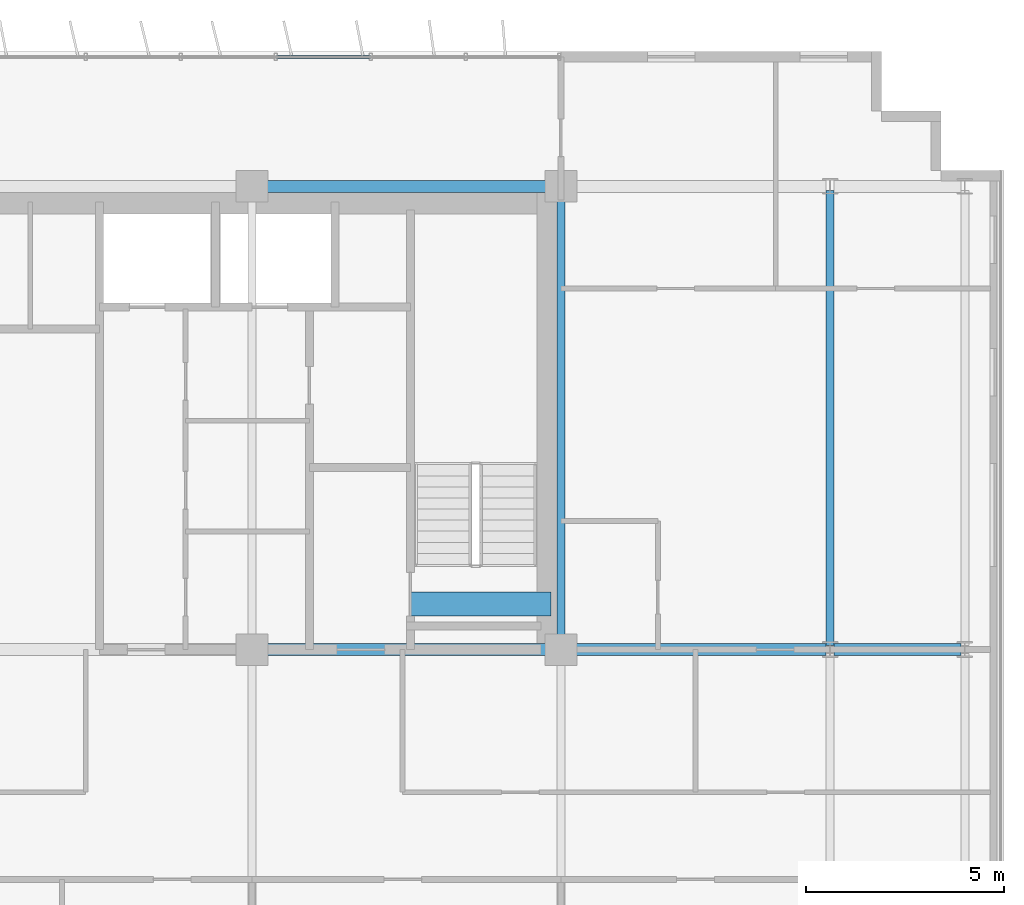
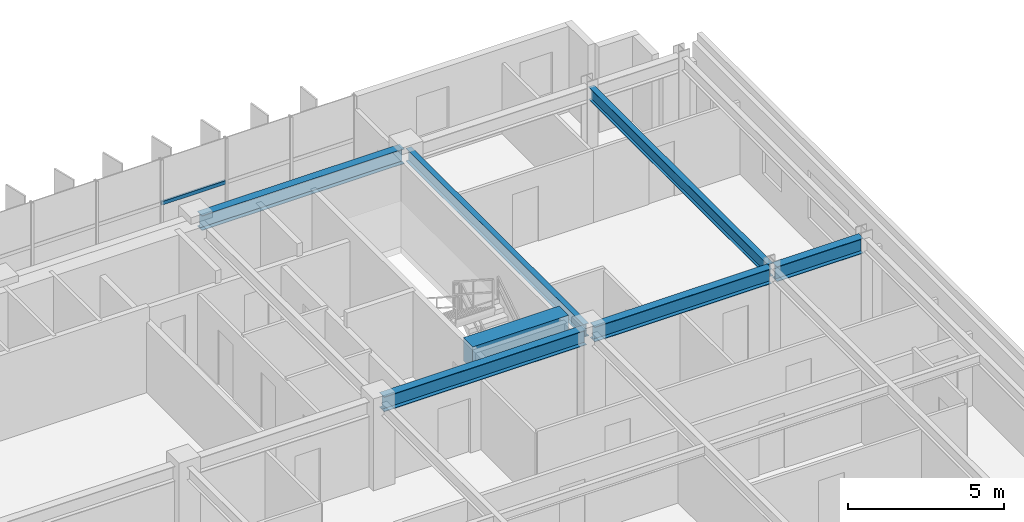
# One storey, part 14 of 26: 7 beams, 1 member, 1 element without a shape of its own.
"""IFC4 building model written with IfcOpenShell, lengths in metres."""

from ifc_helpers import new_model, si_unit, direction, frame, origin, origin_2d, place, context, subcontext, project, spatial, rectangle, hollow_rectangle, i_section, extrude, source, transform, mapped, material, material_profile, profile_set, type_object, element, aggregate, save


model = new_model("IFC4")

# Units and contexts
model_context = context("Model", 3, precision=1e-05, world=origin(), true_north=direction((0.0, 1.0)))
body_context = subcontext(model_context, "Body", "Model", "MODEL_VIEW")
ifc_project = project(units=[si_unit("LENGTHUNIT", "METRE"), si_unit("AREAUNIT", "SQUARE_METRE"), si_unit("VOLUMEUNIT", "CUBIC_METRE"), si_unit("PLANEANGLEUNIT", "RADIAN"), si_unit("MASSUNIT", "GRAM", prefix="KILO")], contexts=[model_context])

# Site, building, storey
site_placement = place(None, origin())
site = spatial("IfcSite", under=ifc_project, at=site_placement, CompositionType="ELEMENT")
building_placement = place(site_placement, origin())
building = spatial("IfcBuilding", under=site, at=building_placement, Name="Trelvane Seafront Commons", CompositionType="ELEMENT")
storey_placement = place(building_placement, frame((0.0, 0.0, 124.89990234375)))
storey = spatial("IfcBuildingStorey", under=building, at=storey_placement, Name="L32", CompositionType="ELEMENT", Elevation=124.89990234375)

# Beams
ifc_material_1 = material(Name="Concrete C60/75", Category="concrete")
ifc_material_profile_1 = material_profile(ifc_material_1, rectangle(XDim=0.60009765625, YDim=0.89990234375, at=origin_2d()), Name="RC-600x900")
ifc_profile_set_1 = profile_set([ifc_material_profile_1], Name="Concrete C60/75")
beam_type_1 = type_object("IfcBeamType", Name="STR-LNT-RC600x900", PredefinedType="LINTEL", material=ifc_profile_set_1)
shared_shape_1 = source(origin(), body_context, "Body", "SweptSolid", [
    extrude(rectangle(XDim=0.60009765625, YDim=0.89990234375, at=origin_2d()), origin(), (0.0, 0.0, 1.0), 3.550048828125),
])
beam_1_placement = place(storey_placement, frame((55.0, 34.550048828125, 2.89013671875), z_axis=(1.0, 0.0, 0.0), x_axis=(0.0, 1.0, 0.0)))
element("IfcBeam", 1, at=beam_1_placement, inside=storey, type_object=beam_type_1, Name="L32 Core Coupling Lintel Beam CB-84", PredefinedType="LINTEL", context=body_context, shape_type="MappedRepresentation", body=[
    mapped(shared_shape_1, transform((0.0, 0.0, 0.0), x_axis=(1.0, 0.0, 0.0), y_axis=(0.0, 1.0, 0.0), z_axis=(0.0, 0.0, 1.0), scale=1.0)),
])
ifc_material_2 = material(Name="Steel SM355 (S355)", Category="steel")
ifc_material_profile_2 = material_profile(ifc_material_2, i_section(OverallWidth=0.300048828125, OverallDepth=0.587890625, WebThickness=0.011962890625, FlangeThickness=0.02001953125, at=origin_2d()), Name="H-588x300x12x20")
ifc_profile_set_2 = profile_set([ifc_material_profile_2], Name="Steel SM355 (S355)")
beam_type_2 = type_object("IfcBeamType", Name="STR-BM-H588", PredefinedType="BEAM", material=ifc_profile_set_2)
shared_shape_2 = source(origin(), body_context, "Body", "SweptSolid", [
    extrude(i_section(OverallWidth=0.300048828125, OverallDepth=0.587890625, WebThickness=0.011962890625, FlangeThickness=0.02001953125, at=origin_2d()), origin(), (0.0, 0.0, 1.0), 3.199951171875),
])
beam_2_placement = place(storey_placement, frame((65.699951171875, 33.39990234375, 3.046142578125), z_axis=(1.0, 0.0, 0.0), x_axis=(0.0, 1.0, 0.0)))
element("IfcBeam", 2, at=beam_2_placement, inside=storey, type_object=beam_type_2, Name="L32 Primary Girder G-27", PredefinedType="BEAM", context=body_context, shape_type="MappedRepresentation", body=[
    mapped(shared_shape_2, transform((0.0, 0.0, 0.0), x_axis=(1.0, 0.0, 0.0), y_axis=(0.0, 1.0, 0.0), z_axis=(0.0, 0.0, 1.0), scale=1.0)),
])
shared_shape_3 = source(origin(), body_context, "Body", "SweptSolid", [
    extrude(i_section(OverallWidth=0.300048828125, OverallDepth=0.587890625, WebThickness=0.011962890625, FlangeThickness=0.02001953125, at=origin_2d()), origin(), (0.0, 0.0, 1.0), 6.550048828125),
])
beam_3_placement = place(storey_placement, frame((58.949951171875, 33.39990234375, 3.046142578125), z_axis=(1.0, 0.0, 0.0), x_axis=(0.0, 1.0, 0.0)))
element("IfcBeam", 3, at=beam_3_placement, inside=storey, type_object=beam_type_2, Name="L32 Primary Girder G-26", PredefinedType="BEAM", context=body_context, shape_type="MappedRepresentation", body=[
    mapped(shared_shape_3, transform((0.0, 0.0, 0.0), x_axis=(1.0, 0.0, 0.0), y_axis=(0.0, 1.0, 0.0), z_axis=(0.0, 0.0, 1.0), scale=1.0)),
])
shared_shape_4 = source(origin(), body_context, "Body", "SweptSolid", [
    extrude(i_section(OverallWidth=0.300048828125, OverallDepth=0.587890625, WebThickness=0.011962890625, FlangeThickness=0.02001953125, at=origin_2d()), origin(), (0.0, 0.0, 1.0), 7.5),
])
for number, where, z_axis, x_axis, name in (
    (4, (51.14990234375, 33.39990234375, 3.046142578125), (1.0, 0.0, 0.0), (0.0, 1.0, 0.0), "L32 Primary Girder G-25"),
    (5, (51.14990234375, 45.10009765625, 3.046142578125), (1.0, 0.0, 0.0), (0.0, 1.0, 0.0), "L32 Primary Girder G-34"),
):
    element("IfcBeam", number, at=place(storey_placement, frame(where, z_axis=z_axis, x_axis=x_axis)), inside=storey, type_object=beam_type_2, Name=name, PredefinedType="BEAM", context=body_context, shape_type="MappedRepresentation", body=[
        mapped(shared_shape_4, transform((0.0, 0.0, 0.0), x_axis=(1.0, 0.0, 0.0), y_axis=(0.0, 1.0, 0.0), z_axis=(0.0, 0.0, 1.0), scale=1.0)),
    ])
ifc_material_profile_3 = material_profile(ifc_material_2, i_section(OverallWidth=0.199951171875, OverallDepth=0.5, WebThickness=0.010009765625, FlangeThickness=0.01611328125, at=origin_2d()), Name="H-500x200x10x16")
ifc_profile_set_3 = profile_set([ifc_material_profile_3], Name="Steel SM355 (S355)")
beam_type_3 = type_object("IfcBeamType", Name="STR-BM-H500", PredefinedType="BEAM", material=ifc_profile_set_3)
shared_shape_5 = source(origin(), body_context, "Body", "SweptSolid", [
    extrude(i_section(OverallWidth=0.199951171875, OverallDepth=0.5, WebThickness=0.010009765625, FlangeThickness=0.01611328125, at=origin_2d()), origin(), (0.0, 0.0, 1.0), 11.5),
])
beam_4_placement = place(storey_placement, frame((65.60009765625, 33.5, 3.090087890625), z_axis=(0.0, 1.0, 0.0), x_axis=(-1.0, 0.0, 0.0)))
element("IfcBeam", 6, at=beam_4_placement, inside=storey, type_object=beam_type_3, Name="L32 Primary Girder G-63", PredefinedType="BEAM", context=body_context, shape_type="MappedRepresentation", body=[
    mapped(shared_shape_5, transform((0.0, 0.0, 0.0), x_axis=(1.0, 0.0, 0.0), y_axis=(0.0, 1.0, 0.0), z_axis=(0.0, 0.0, 1.0), scale=1.0)),
])
shared_shape_6 = source(origin(), body_context, "Body", "SweptSolid", [
    extrude(i_section(OverallWidth=0.199951171875, OverallDepth=0.5, WebThickness=0.010009765625, FlangeThickness=0.01611328125, at=origin_2d()), origin(), (0.0, 0.0, 1.0), 11.39990234375),
])
beam_5_placement = place(storey_placement, frame((58.800048828125, 33.550048828125, 3.090087890625), z_axis=(0.0, 1.0, 0.0), x_axis=(-1.0, 0.0, 0.0)))
element("IfcBeam", 7, at=beam_5_placement, inside=storey, type_object=beam_type_3, Name="L32 Primary Girder G-60", PredefinedType="BEAM", context=body_context, shape_type="MappedRepresentation", body=[
    mapped(shared_shape_6, transform((0.0, 0.0, 0.0), x_axis=(1.0, 0.0, 0.0), y_axis=(0.0, 1.0, 0.0), z_axis=(0.0, 0.0, 1.0), scale=1.0)),
])

# Curtain wall, member
ifc_material_3 = material(Name="Anodised pale-silver aluminium", Category="aluminium")
curtain_wall_type = type_object("IfcCurtainWallType", Name="ARCH-CW4-SKYLOBBY", PredefinedType="NOTDEFINED", material=ifc_material_3)
curtain_wall_placement = place(storey_placement, origin())
curtain_wall = element("IfcCurtainWall", 8, at=curtain_wall_placement, inside=storey, type_object=curtain_wall_type, Name="CW-L32-0057", PredefinedType="NOTDEFINED")
ifc_material_profile_4 = material_profile(ifc_material_3, hollow_rectangle(XDim=0.074951171875, YDim=0.139892578125, WallThickness=0.00390625, at=origin_2d()), Name="TRAN-75x140x4")
ifc_profile_set_4 = profile_set([ifc_material_profile_4], Name="Anodised pale-silver aluminium")
member_type = type_object("IfcMemberType", Name="ARCH-CW-TRAN-140", PredefinedType="USERDEFINED", material=ifc_profile_set_4)
shared_shape_7 = source(origin(), body_context, "Body", "SweptSolid", [
    extrude(hollow_rectangle(XDim=0.074951171875, YDim=0.139892578125, WallThickness=0.00390625, at=origin_2d()), origin(), (0.0, 0.0, 1.0), 2.3759765625),
])
member_placement = place(storey_placement, frame((51.612060546875, 48.3701171875, 1.60302734375), z_axis=(1.0, 0.0, 0.0), x_axis=(0.0, 1.0, 0.0)))
member = element("IfcMember", 9, at=member_placement, type_object=member_type, Name="CW-L32-0057-T15", ObjectType="TRANSOM", PredefinedType="USERDEFINED", context=body_context, shape_type="MappedRepresentation", body=[
    mapped(shared_shape_7, transform((0.0, 0.0, 0.0), x_axis=(1.0, 0.0, 0.0), y_axis=(0.0, 1.0, 0.0), z_axis=(0.0, 0.0, 1.0), scale=1.0)),
])
aggregate(curtain_wall, [member])

save(model, "model.ifc")
